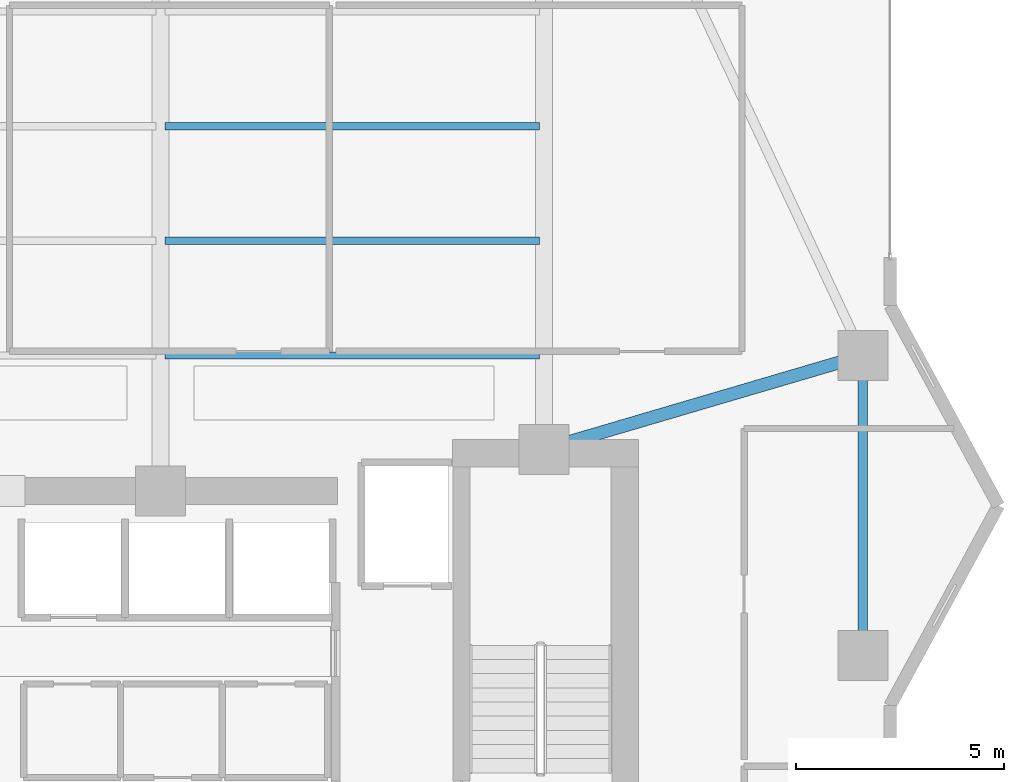
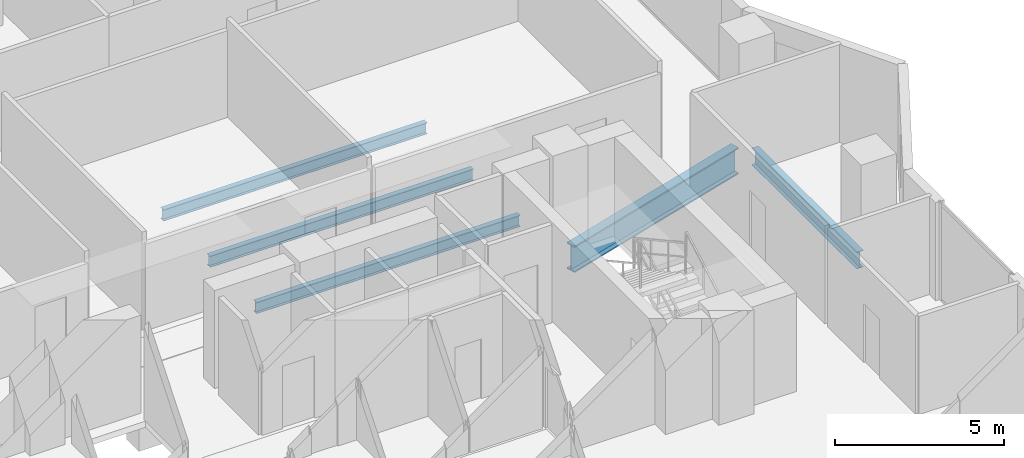
# One storey, part 13 of 32: 5 beams.
"""IFC4 building model written with IfcOpenShell, lengths in metres."""

from ifc_helpers import new_model, si_unit, direction, frame, origin, origin_2d, place, context, subcontext, project, spatial, i_section, extrude, material, material_profile, profile_set, type_object, element, save


model = new_model("IFC4")

# Units and contexts
model_context = context("Model", 3, precision=1e-05, world=origin(), true_north=direction((0.0, 1.0)))
body_context = subcontext(model_context, "Body", "Model", "MODEL_VIEW")
ifc_project = project(units=[si_unit("LENGTHUNIT", "METRE"), si_unit("AREAUNIT", "SQUARE_METRE"), si_unit("VOLUMEUNIT", "CUBIC_METRE"), si_unit("PLANEANGLEUNIT", "RADIAN"), si_unit("MASSUNIT", "GRAM", prefix="KILO")], contexts=[model_context])

# Site, building, storey
site_placement = place(None, origin())
site = spatial("IfcSite", under=ifc_project, at=site_placement, CompositionType="ELEMENT")
building_placement = place(site_placement, origin())
building = spatial("IfcBuilding", under=site, at=building_placement, Name="Zuhayl Quay Hotel", CompositionType="ELEMENT")
storey_placement = place(building_placement, frame((0.0, 0.0, 192.39990234375)))
storey = spatial("IfcBuildingStorey", under=building, at=storey_placement, Name="L48", CompositionType="ELEMENT", Elevation=192.39990234375)

# Beams
ifc_material = material(Name="Steel ASTM A992 Grade 50", Category="steel")
ifc_material_profile_1 = material_profile(ifc_material, i_section(OverallWidth=0.22802734375, OverallDepth=0.60693359375, WebThickness=0.01123046875, FlangeThickness=0.017333984375, at=origin_2d()), Name="W24X76")
ifc_profile_set_1 = profile_set([ifc_material_profile_1], Name="Steel ASTM A992 Grade 50")
beam_type_1 = type_object("IfcBeamType", Name="BM_B3_W24X76", PredefinedType="BEAM", material=ifc_profile_set_1)
beam_1_placement = place(storey_placement, frame((21.449951171875, 9.89990234375, -0.5234375), z_axis=(0.0, 1.0, 0.0), x_axis=(-1.0, 0.0, 0.0)))
element("IfcBeam", 1, at=beam_1_placement, inside=storey, type_object=beam_type_1, Name="L48 Floor Beam RG_L48_05", PredefinedType="BEAM", context=body_context, shape_type="SweptSolid", body=[
    extrude(i_section(OverallWidth=0.22802734375, OverallDepth=0.60693359375, WebThickness=0.01123046875, FlangeThickness=0.017333984375, at=origin_2d()), origin(), (0.0, 0.0, 1.0), 6.2001953125),
])
ifc_material_profile_2 = material_profile(ifc_material, i_section(OverallWidth=0.177978515625, OverallDepth=0.406005859375, WebThickness=0.0078125, FlangeThickness=0.0126953125, at=origin_2d()), Name="W16X40")
ifc_profile_set_2 = profile_set([ifc_material_profile_2], Name="Steel ASTM A992 Grade 50")
beam_type_2 = type_object("IfcBeamType", Name="BM_J2B_W16X40", PredefinedType="JOIST", material=ifc_profile_set_2)
for number, where, z_axis, x_axis, name in (
    (2, (4.7060546875, 16.60009765625, -0.4228515625), (1.0, 0.0, 0.0), (0.0, 1.0, 0.0), "L48 Floor Beam FJ_L48_1_3"),
    (3, (4.7060546875, 19.35009765625, -0.4228515625), (1.0, 0.0, 0.0), (0.0, 1.0, 0.0), "L48 Floor Beam FJ_L48_2_3"),
    (4, (4.7060546875, 22.10009765625, -0.4228515625), (1.0, 0.0, 0.0), (0.0, 1.0, 0.0), "L48 Floor Beam FJ_L48_3_3"),
):
    element("IfcBeam", number, at=place(storey_placement, frame(where, z_axis=z_axis, x_axis=x_axis)), inside=storey, type_object=beam_type_2, Name=name, PredefinedType="JOIST", context=body_context, shape_type="SweptSolid", body=[
        extrude(i_section(OverallWidth=0.177978515625, OverallDepth=0.406005859375, WebThickness=0.0078125, FlangeThickness=0.0126953125, at=origin_2d()), origin(), (0.0, 0.0, 1.0), 8.988037109375),
    ])
ifc_material_profile_3 = material_profile(ifc_material, i_section(OverallWidth=0.31005859375, OverallDepth=0.949951171875, WebThickness=0.0244140625, FlangeThickness=0.0439453125, at=origin_2d()), Name="W36X256")
ifc_profile_set_3 = profile_set([ifc_material_profile_3], Name="Steel ASTM A992 Grade 50")
beam_type_3 = type_object("IfcBeamType", Name="BM_PG1_W36X256", PredefinedType="BEAM", material=ifc_profile_set_3)
beam_2_placement = place(storey_placement, frame((14.231689453125, 14.47705078125, -0.69482421875), z_axis=(0.959364948093, 0.282168205812, 0.0), x_axis=(-0.282168205812, 0.959364948093, 0.0)))
element("IfcBeam", 5, at=beam_2_placement, inside=storey, type_object=beam_type_3, Name="L48 Floor Beam FG_E_L48_2", PredefinedType="BEAM", context=body_context, shape_type="SweptSolid", body=[
    extrude(i_section(OverallWidth=0.31005859375, OverallDepth=0.949951171875, WebThickness=0.0244140625, FlangeThickness=0.0439453125, at=origin_2d()), origin(), (0.0, 0.0, 1.0), 7.02392578125),
])

save(model, "model.ifc")
